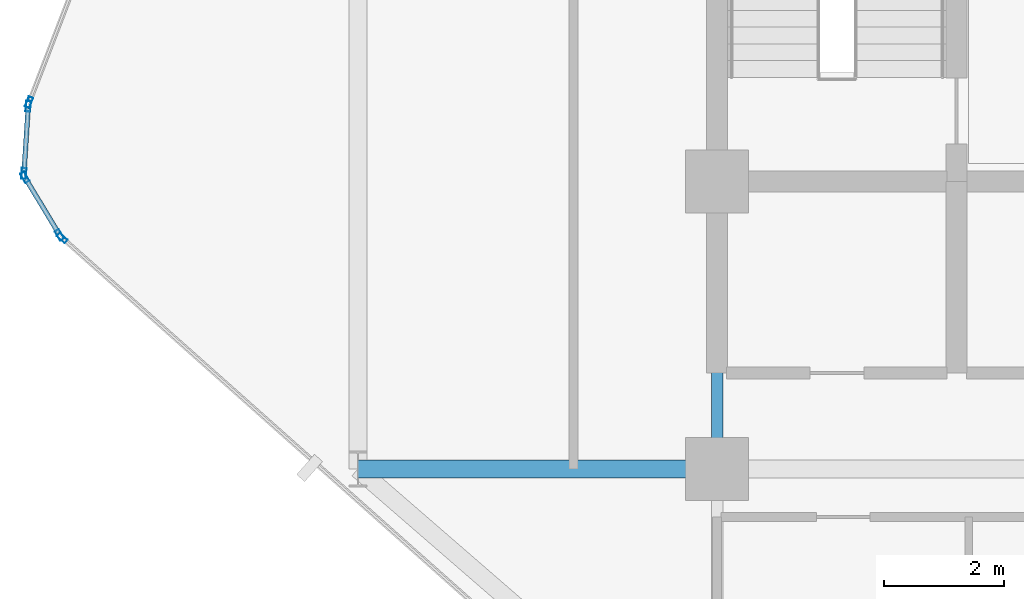
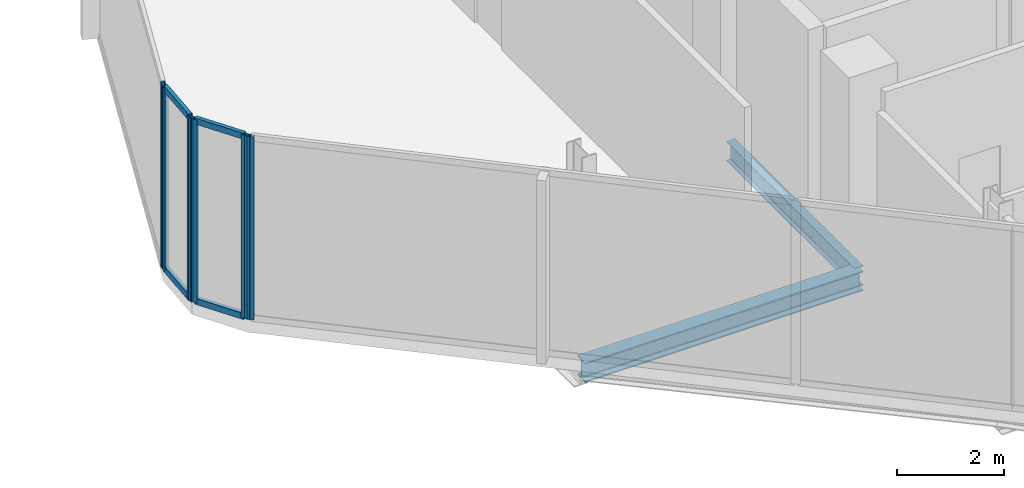
# One storey, part 6 of 31: 10 members, 2 beams, 4 elements without a shape of their own.
"""IFC4 building model written with IfcOpenShell, lengths in metres."""

from ifc_helpers import new_model, si_unit, direction, frame, origin, origin_2d, place, context, subcontext, project, spatial, hollow_rectangle, i_section, extrude, material, layer, layer_set, material_profile, profile_set, type_object, element, aggregate, save


model = new_model("IFC4")

# Units and contexts
model_context = context("Model", 3, precision=1e-05, world=origin(), true_north=direction((0.0, 1.0)))
body_context = subcontext(model_context, "Body", "Model", "MODEL_VIEW")
ifc_project = project(units=[si_unit("LENGTHUNIT", "METRE"), si_unit("AREAUNIT", "SQUARE_METRE"), si_unit("VOLUMEUNIT", "CUBIC_METRE"), si_unit("PLANEANGLEUNIT", "RADIAN"), si_unit("MASSUNIT", "GRAM", prefix="KILO")], contexts=[model_context])

# Site, building, storey
site_placement = place(None, origin())
site = spatial("IfcSite", under=ifc_project, at=site_placement, CompositionType="ELEMENT")
building_placement = place(site_placement, origin())
building = spatial("IfcBuilding", under=site, at=building_placement, Name="Keshet Zoharim Tower", CompositionType="ELEMENT")
storey_placement = place(building_placement, frame((0.0, 0.0, 125.300048828125)))
storey = spatial("IfcBuildingStorey", under=building, at=storey_placement, Name="L30", CompositionType="ELEMENT", Elevation=125.300048828125)

# Beams
ifc_material_1 = material(Name="Steel S355", Category="steel")
ifc_material_profile_1 = material_profile(ifc_material_1, i_section(OverallWidth=0.18994140625, OverallDepth=0.449951171875, WebThickness=0.009521484375, FlangeThickness=0.0146484375, FilletRadius=0.02099609375, at=origin_2d()), Name="IPE450")
ifc_profile_set_1 = profile_set([ifc_material_profile_1], Name="Steel S355")
beam_type_1 = type_object("IfcBeamType", Name="BM-PRI-IP450", PredefinedType="BEAM", material=ifc_profile_set_1)
beam_1_placement = place(storey_placement, frame((15.0, 17.89990234375, -0.545166015625), z_axis=(0.0, 1.0, 0.0), x_axis=(-1.0, 0.0, 0.0)))
element("IfcBeam", 1, at=beam_1_placement, inside=storey, type_object=beam_type_1, Name="L30 Primary Girder Y-003", PredefinedType="BEAM", context=body_context, shape_type="SweptSolid", body=[
    extrude(i_section(OverallWidth=0.18994140625, OverallDepth=0.449951171875, WebThickness=0.009521484375, FlangeThickness=0.0146484375, FilletRadius=0.02099609375, at=origin_2d()), origin(), (0.0, 0.0, 1.0), 4.800048828125),
])
ifc_material_profile_2 = material_profile(ifc_material_1, i_section(OverallWidth=0.300048828125, OverallDepth=0.449951171875, WebThickness=0.013916015625, FlangeThickness=0.02587890625, FilletRadius=0.027099609375, at=origin_2d()), Name="HEB450")
ifc_profile_set_2 = profile_set([ifc_material_profile_2], Name="Steel S355")
beam_type_2 = type_object("IfcBeamType", Name="BM-WEB-HB450", PredefinedType="BEAM", material=ifc_profile_set_2)
beam_2_placement = place(storey_placement, frame((9.0, 17.89990234375, -0.545166015625), z_axis=(1.0, 0.0, 0.0), x_axis=(0.0, 1.0, 0.0)))
element("IfcBeam", 2, at=beam_2_placement, inside=storey, type_object=beam_type_2, Name="L30 Primary Girder X-011", PredefinedType="BEAM", context=body_context, shape_type="SweptSolid", body=[
    extrude(i_section(OverallWidth=0.300048828125, OverallDepth=0.449951171875, WebThickness=0.013916015625, FlangeThickness=0.02587890625, FilletRadius=0.027099609375, at=origin_2d()), origin(), (0.0, 0.0, 1.0), 6.0),
])

# Curtain wall, member
ifc_material_2 = material(Name="Aluminium 6063-T6", Category="aluminium")
ifc_layer = layer(ifc_material_2, 0.14990234375)
ifc_layer_set = layer_set([ifc_layer], Name="Aluminium 6063-T6")
curtain_wall_type = type_object("IfcCurtainWallType", Name="CW-SYS-04", PredefinedType="NOTDEFINED", material=ifc_layer_set)
curtain_wall_1_placement = place(storey_placement, origin())
curtain_wall_1 = element("IfcCurtainWall", 3, at=curtain_wall_1_placement, inside=storey, type_object=curtain_wall_type, Name="L30 Unitised Curtain Wall 13 Part 2", PredefinedType="NOTDEFINED")
ifc_material_profile_3 = material_profile(ifc_material_2, hollow_rectangle(XDim=0.080078125, YDim=0.179931640625, WallThickness=0.00439453125, at=origin_2d()), Name="MUL-80x180")
ifc_profile_set_3 = profile_set([ifc_material_profile_3], Name="Aluminium 6063-T6")
member_type_1 = type_object("IfcMemberType", Name="CWM-M18", PredefinedType="MULLION", material=ifc_profile_set_3)
member_1_placement = place(storey_placement, frame((4.061279296875, 21.7568359375, 0.0), z_axis=(0.0, 0.0, 1.0), x_axis=(-0.664362653641, -0.747410372184, 0.0)))
member_1 = element("IfcMember", 4, at=member_1_placement, type_object=member_type_1, Name="CW-04 mullion 3", PredefinedType="MULLION", context=body_context, shape_type="SweptSolid", body=[
    extrude(hollow_rectangle(XDim=0.080078125, YDim=0.179931640625, WallThickness=0.00439453125, at=origin_2d()), origin(), (0.0, 0.0, 1.0), 4.18505859375),
])
aggregate(curtain_wall_1, [member_1])

# Curtain wall, members
curtain_wall_2_placement = place(storey_placement, origin())
curtain_wall_2 = element("IfcCurtainWall", 5, at=curtain_wall_2_placement, inside=storey, type_object=curtain_wall_type, Name="L30 Unitised Curtain Wall 14", PredefinedType="NOTDEFINED")
member_2_placement = place(storey_placement, frame((4.016845703125, 21.81005859375, 0.0), z_axis=(0.0, 0.0, 1.0), x_axis=(-0.856826433805, -0.515604947933, 0.0)))
member_2 = element("IfcMember", 6, at=member_2_placement, type_object=member_type_1, Name="CW-04 mullion 1", PredefinedType="MULLION", context=body_context, shape_type="SweptSolid", body=[
    extrude(hollow_rectangle(XDim=0.080078125, YDim=0.179931640625, WallThickness=0.00439453125, at=origin_2d()), origin(), (0.0, 0.0, 1.0), 4.18505859375),
])
member_3_placement = place(storey_placement, frame((3.43798828125, 22.77197265625, 0.0), z_axis=(0.0, 0.0, 1.0), x_axis=(-0.856826433805, -0.515604947933, 0.0)))
member_3 = element("IfcMember", 7, at=member_3_placement, type_object=member_type_1, Name="CW-04 mullion 2", PredefinedType="MULLION", context=body_context, shape_type="SweptSolid", body=[
    extrude(hollow_rectangle(XDim=0.080078125, YDim=0.179931640625, WallThickness=0.00439453125, at=origin_2d()), origin(), (0.0, 0.0, 1.0), 4.18505859375),
])

curtain_wall_3_placement = place(storey_placement, origin())
curtain_wall_3 = element("IfcCurtainWall", 8, at=curtain_wall_3_placement, inside=storey, type_object=curtain_wall_type, Name="L30 Unitised Curtain Wall 15", PredefinedType="NOTDEFINED")
member_4_placement = place(storey_placement, frame((3.42236328125, 22.8369140625, 0.0), z_axis=(0.0, 0.0, 1.0), x_axis=(-0.997916617186, 0.064516859374, 0.0)))
member_4 = element("IfcMember", 9, at=member_4_placement, type_object=member_type_1, Name="CW-04 mullion 1", PredefinedType="MULLION", context=body_context, shape_type="SweptSolid", body=[
    extrude(hollow_rectangle(XDim=0.080078125, YDim=0.179931640625, WallThickness=0.00439453125, at=origin_2d()), origin(), (0.0, 0.0, 1.0), 4.18505859375),
])
member_5_placement = place(storey_placement, frame((3.49462890625, 23.9580078125, 0.0), z_axis=(0.0, 0.0, 1.0), x_axis=(-0.997916617186, 0.064516859374, 0.0)))
member_5 = element("IfcMember", 10, at=member_5_placement, type_object=member_type_1, Name="CW-04 mullion 2", PredefinedType="MULLION", context=body_context, shape_type="SweptSolid", body=[
    extrude(hollow_rectangle(XDim=0.080078125, YDim=0.179931640625, WallThickness=0.00439453125, at=origin_2d()), origin(), (0.0, 0.0, 1.0), 4.18505859375),
])

# Curtain wall, member
curtain_wall_4_placement = place(storey_placement, origin())
curtain_wall_4 = element("IfcCurtainWall", 11, at=curtain_wall_4_placement, inside=storey, type_object=curtain_wall_type, Name="L30 Unitised Curtain Wall 16", PredefinedType="NOTDEFINED")
member_6_placement = place(storey_placement, frame((3.509521484375, 24.025634765625, 0.0), z_axis=(0.0, 0.0, 1.0), x_axis=(-0.933341404361, 0.358990003907, 0.0)))
member_6 = element("IfcMember", 12, at=member_6_placement, type_object=member_type_1, Name="CW-04 mullion 1", PredefinedType="MULLION", context=body_context, shape_type="SweptSolid", body=[
    extrude(hollow_rectangle(XDim=0.080078125, YDim=0.179931640625, WallThickness=0.00439453125, at=origin_2d()), origin(), (0.0, 0.0, 1.0), 4.18505859375),
])
aggregate(curtain_wall_4, [member_6])

# Member
ifc_material_profile_4 = material_profile(ifc_material_2, hollow_rectangle(XDim=0.080078125, YDim=0.139892578125, WallThickness=0.00390625, at=origin_2d()), Name="TRN-80x140")
ifc_profile_set_4 = profile_set([ifc_material_profile_4], Name="Aluminium 6063-T6")
member_type_2 = type_object("IfcMemberType", Name="CWT-T14", PredefinedType="USERDEFINED", material=ifc_profile_set_4)
member_7_placement = place(storey_placement, frame((3.9990234375, 21.840087890625, 0.034912109375), z_axis=(-0.515791194107, 0.856714330499, 0.0), x_axis=(-0.856714330499, -0.515791194107, 0.0)))
member_7 = element("IfcMember", 13, at=member_7_placement, type_object=member_type_2, Name="CW-04 transom 1.1", ObjectType="TRANSOM", PredefinedType="USERDEFINED", context=body_context, shape_type="SweptSolid", body=[
    extrude(hollow_rectangle(XDim=0.080078125, YDim=0.139892578125, WallThickness=0.00390625, at=origin_2d()), origin(), (0.0, 0.0, 1.0), 1.052734375),
])

member_8_placement = place(storey_placement, frame((3.9990234375, 21.840087890625, 4.14990234375), z_axis=(-0.515791194107, 0.856714330499, 0.0), x_axis=(-0.856714330499, -0.515791194107, 0.0)))
member_8 = element("IfcMember", 14, at=member_8_placement, type_object=member_type_2, Name="CW-04 transom 1.2", ObjectType="TRANSOM", PredefinedType="USERDEFINED", context=body_context, shape_type="SweptSolid", body=[
    extrude(hollow_rectangle(XDim=0.080078125, YDim=0.139892578125, WallThickness=0.00390625, at=origin_2d()), origin(), (0.0, 0.0, 1.0), 1.052734375),
])

aggregate(curtain_wall_2, [member_2, member_3, member_7, member_8])

member_9_placement = place(storey_placement, frame((3.424560546875, 22.871826171875, 0.034912109375), z_axis=(0.064426947155, 0.997922426083, 0.0), x_axis=(-0.997922426083, 0.064426947155, 0.0)))
member_9 = element("IfcMember", 15, at=member_9_placement, type_object=member_type_2, Name="CW-04 transom 1.1", ObjectType="TRANSOM", PredefinedType="USERDEFINED", context=body_context, shape_type="SweptSolid", body=[
    extrude(hollow_rectangle(XDim=0.080078125, YDim=0.139892578125, WallThickness=0.00390625, at=origin_2d()), origin(), (0.0, 0.0, 1.0), 1.053466796875),
])

member_10_placement = place(storey_placement, frame((3.424560546875, 22.871826171875, 4.14990234375), z_axis=(0.064426947155, 0.997922426083, 0.0), x_axis=(-0.997922426083, 0.064426947155, 0.0)))
member_10 = element("IfcMember", 16, at=member_10_placement, type_object=member_type_2, Name="CW-04 transom 1.2", ObjectType="TRANSOM", PredefinedType="USERDEFINED", context=body_context, shape_type="SweptSolid", body=[
    extrude(hollow_rectangle(XDim=0.080078125, YDim=0.139892578125, WallThickness=0.00390625, at=origin_2d()), origin(), (0.0, 0.0, 1.0), 1.053466796875),
])

aggregate(curtain_wall_3, [member_4, member_5, member_9, member_10])

save(model, "model.ifc")
